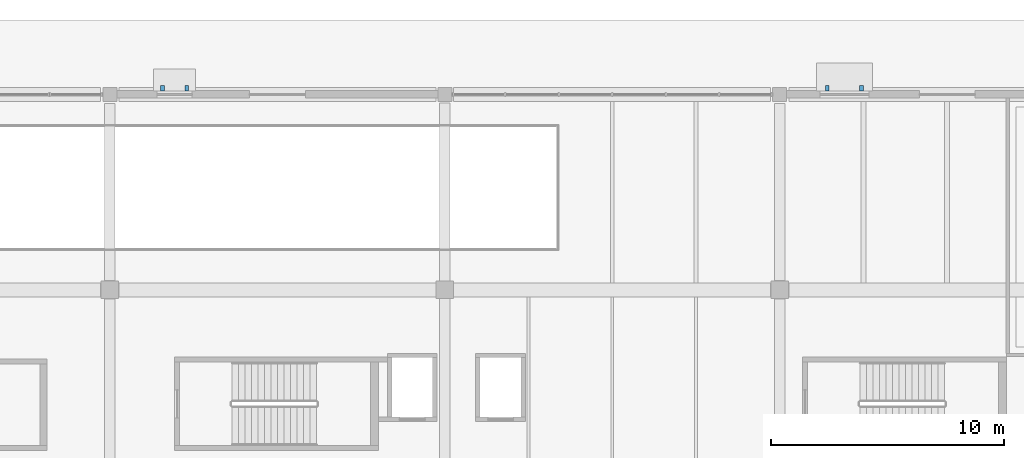
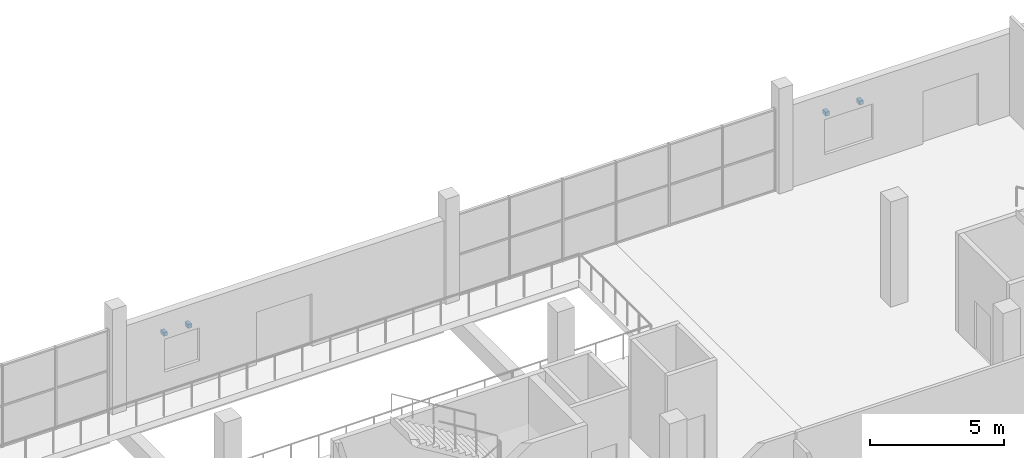
# One storey, part 105 of 130: 4 discrete accessories.
"""IFC4 building model written with IfcOpenShell, lengths in metres."""

from ifc_helpers import new_model, si_unit, direction, frame, origin, origin_2d, place, context, subcontext, project, spatial, rectangle, extrude, material, type_object, element, save


model = new_model("IFC4")

# Units and contexts
model_context = context("Model", 3, precision=1e-05, world=origin(), true_north=direction((0.0, 1.0)))
body_context = subcontext(model_context, "Body", "Model", "MODEL_VIEW")
ifc_project = project(units=[si_unit("LENGTHUNIT", "METRE"), si_unit("AREAUNIT", "SQUARE_METRE"), si_unit("VOLUMEUNIT", "CUBIC_METRE"), si_unit("PLANEANGLEUNIT", "RADIAN"), si_unit("MASSUNIT", "GRAM", prefix="KILO"), si_unit("THERMODYNAMICTEMPERATUREUNIT", "KELVIN")], contexts=[model_context])

# Site, building, storey
site_placement = place(None, origin())
site = spatial("IfcSite", under=ifc_project, at=site_placement, CompositionType="ELEMENT")
building_placement = place(site_placement, origin())
building = spatial("IfcBuilding", under=site, at=building_placement, Name="Nduvali Passage Aquatics Centre", CompositionType="ELEMENT")
storey_placement = place(building_placement, origin())
storey = spatial("IfcBuildingStorey", under=building, at=storey_placement, Name="L00", CompositionType="ELEMENT", Elevation=0.0)

# Discrete accessories
ifc_material = material(Name="Steel S355", Category="steel")
discrete_accessory_type = type_object("IfcDiscreteAccessoryType", Name="ENV-BRK-S355", PredefinedType="BRACKET", material=ifc_material)
for number, where, z_axis, x_axis, name in (
    (1, (71.708984375, 117.8701171875, 2.43505859375), (0.0, 0.0, 1.0), (-1.0, 0.0, 0.0), "L00 Sunshade Bracket 0107"),
    (2, (70.658935546875, 117.8701171875, 2.43505859375), (0.0, 0.0, 1.0), (-1.0, 0.0, 0.0), "L00 Sunshade Bracket 0108"),
    (3, (100.718994140625, 117.8701171875, 2.47998046875), (0.0, 0.0, 1.0), (-1.0, 0.0, 0.0), "L00 Sunshade Bracket 0109"),
    (4, (99.2490234375, 117.8701171875, 2.47998046875), (0.0, 0.0, 1.0), (-1.0, 0.0, 0.0), "L00 Sunshade Bracket 0110"),
):
    element("IfcDiscreteAccessory", number, at=place(storey_placement, frame(where, z_axis=z_axis, x_axis=x_axis)), inside=storey, type_object=discrete_accessory_type, Name=name, PredefinedType="BRACKET", context=body_context, shape_type="SweptSolid", body=[
        extrude(rectangle(XDim=0.159912109375, YDim=0.239990234375, at=origin_2d()), origin(), (0.0, 0.0, 1.0), 0.179931640625),
    ])

save(model, "model.ifc")
